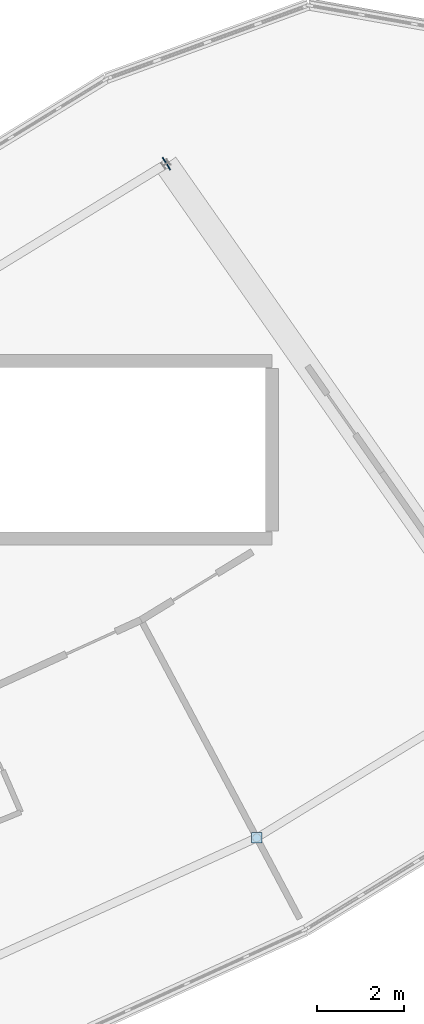
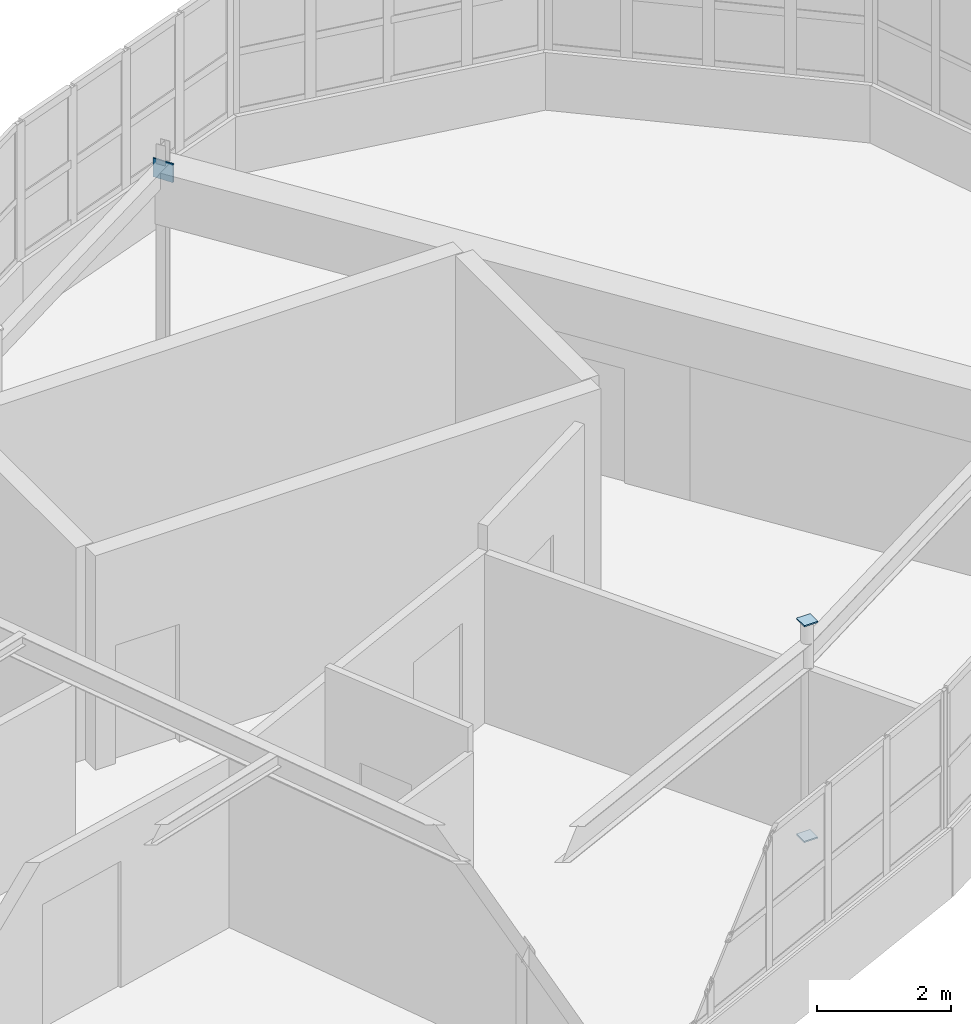
# One storey, part 58 of 79: 3 plates.
"""IFC4 building model written with IfcOpenShell, lengths in metres."""

import ifcopenshell
import ifcopenshell.guid

model = None  # the IFC model being written
_history = None  # IfcOwnerHistory: only IFC2X3 demands one
_inside = {}  # id of a spatial element -> (the spatial element, [elements in it])
_under = {}  # id of a project, library or spatial element -> (it, [spatial elements below it])
_declared = {}  # id of a project -> (the project, [libraries it declares])
_typed = {}  # id of a type object -> (the type object, [elements of that type])
_made_of = {}  # id of a material, layer set ... -> (it, [elements and type objects made of it])


def new_model(schema):
    """Start an empty IFC model of exactly this schema.

    Asked for "IFC4X3", IfcOpenShell would pick the latest addendum, in which some entities
    have other attributes; the version numbers below select the first issue.
    IFC2X3 requires an IfcOwnerHistory on every rooted entity: one is made here for all.
    """
    global model, _history
    if schema == "IFC4X3":
        model = ifcopenshell.file(schema_version=(4, 3, 0, 0))
    else:
        model = ifcopenshell.file(schema=schema)
    _inside.clear()
    _under.clear()
    _declared.clear()
    _typed.clear()
    _made_of.clear()
    _history = None
    if model.schema == "IFC2X3":
        org = make("IfcOrganization", Name="unknown")
        user = make(
            "IfcPersonAndOrganization",
            ThePerson=make("IfcPerson", FamilyName="unknown"),
            TheOrganization=org,
        )
        app = make(
            "IfcApplication",
            ApplicationDeveloper=org,
            Version="unknown",
            ApplicationFullName="unknown",
            ApplicationIdentifier="unknown",
        )
        _history = make(
            "IfcOwnerHistory",
            OwningUser=user,
            OwningApplication=app,
            ChangeAction="ADDED",
            CreationDate=0,
        )
    return model


def make(cls, **values):
    """One entity of the class cls with the attributes given. An attribute that is None is left unset."""
    return model.create_entity(
        cls, **{name: value for name, value in values.items() if value is not None}
    )


def rooted(cls, **values):
    """An entity with a GlobalId (a new one), such as an element, a storey or a relation."""
    return make(cls, GlobalId=ifcopenshell.guid.new(), OwnerHistory=_history, **values)


def si_unit(unit_type, name, prefix=None):
    """IfcSIUnit, for example si_unit("LENGTHUNIT", "METRE", prefix="MILLI")."""
    return make("IfcSIUnit", UnitType=unit_type, Prefix=prefix, Name=name)


def assignment(units):
    """IfcUnitAssignment: the units of a project."""
    return None if units is None else make("IfcUnitAssignment", Units=units)


def point(xyz):
    """IfcCartesianPoint."""
    return None if xyz is None else make("IfcCartesianPoint", Coordinates=xyz)


def direction(xyz):
    """IfcDirection."""
    return None if xyz is None else make("IfcDirection", DirectionRatios=xyz)


def frame(location, z_axis=None, x_axis=None):
    """IfcAxis2Placement3D, a coordinate frame: its origin and axes. An axis left out is left unset."""
    return make(
        "IfcAxis2Placement3D",
        Location=point(location),
        Axis=direction(z_axis),
        RefDirection=direction(x_axis),
    )


def frame_2d(location, x_axis=None):
    """IfcAxis2Placement2D, a coordinate frame in the plane: its origin and x axis."""
    return make(
        "IfcAxis2Placement2D", Location=point(location), RefDirection=direction(x_axis)
    )


def origin():
    """The frame at (0, 0, 0) with its axes left unset."""
    return frame((0.0, 0.0, 0.0))


def origin_2d():
    """The frame at (0, 0) in the plane with its x axis left unset."""
    return frame_2d((0.0, 0.0))


def place(relative_to, where):
    """IfcLocalPlacement: puts the frame where relative to a parent placement (None: the world)."""
    return make(
        "IfcLocalPlacement", PlacementRelTo=relative_to, RelativePlacement=where
    )


def context(
    kind, dimensions, precision=None, world=None, true_north=None, identifier=None
):
    """IfcGeometricRepresentationContext, for example the 3D "Model" context."""
    return make(
        "IfcGeometricRepresentationContext",
        ContextIdentifier=identifier,
        ContextType=kind,
        CoordinateSpaceDimension=dimensions,
        Precision=precision,
        WorldCoordinateSystem=world,
        TrueNorth=true_north,
    )


def subcontext(parent, identifier, kind, view, scale=None):
    """IfcGeometricRepresentationSubContext, for example "Body" below "Model"."""
    return make(
        "IfcGeometricRepresentationSubContext",
        ContextIdentifier=identifier,
        ContextType=kind,
        ParentContext=parent,
        TargetScale=scale,
        TargetView=view,
    )


def project(units=None, contexts=None):
    """IfcProject with its units and contexts."""
    return rooted(
        "IfcProject",
        Name="project",
        RepresentationContexts=contexts,
        UnitsInContext=assignment(units),
    )


def spatial(cls, under=None, at=None, **own):
    """A site, building, storey or space (cls), placed at a placement, below another one or the project."""
    s = rooted(cls, ObjectPlacement=at, **own)
    if under is not None:
        _under.setdefault(under.id(), (under, []))[1].append(s)
    return s


def profile(cls, at=None, kind="AREA", **sizes):
    """A parametric profile (cls). Its sizes go by their IFC names, for example OverallWidth=200.0."""
    return make(cls, ProfileType=kind, Position=at, **sizes)


def rectangle(**sizes):
    """IfcRectangleProfileDef."""
    return profile("IfcRectangleProfileDef", **sizes)


def extrude(swept, where, along, depth):
    """IfcExtrudedAreaSolid: the profile swept, set in the frame where, extruded along a direction by depth."""
    return make(
        "IfcExtrudedAreaSolid",
        SweptArea=swept,
        Position=where,
        ExtrudedDirection=direction(along),
        Depth=depth,
    )


def shape(context_of_items, identifier, shape_type, items):
    """IfcShapeRepresentation: the items that make up one representation, for example the "Body"."""
    return make(
        "IfcShapeRepresentation",
        ContextOfItems=context_of_items,
        RepresentationIdentifier=identifier,
        RepresentationType=shape_type,
        Items=items,
    )


def material(Name=None, Category=None):
    """IfcMaterial."""
    return make("IfcMaterial", Name=Name, Category=Category)


def layer(
    of_material, thickness, ventilated=None, Name=None, Category=None, Priority=None
):
    """IfcMaterialLayer: one layer of a wall or slab, of a material (None: an air gap)."""
    return make(
        "IfcMaterialLayer",
        Material=of_material,
        LayerThickness=thickness,
        IsVentilated=ventilated,
        Name=Name,
        Category=Category,
        Priority=Priority,
    )


def layer_set(layers, Name=None):
    """IfcMaterialLayerSet."""
    return make("IfcMaterialLayerSet", MaterialLayers=layers, LayerSetName=Name)


def made_of(thing, what):
    """Note that an element or type object is made of a material, layer set ...; save() writes the relation."""
    if what is not None:
        _made_of.setdefault(what.id(), (what, []))[1].append(thing)
    return thing


def type_object(cls, material=None, **own):
    """A type object (cls), such as IfcWallType, which elements share."""
    return made_of(rooted(cls, **own), material)


def element(
    cls,
    number,
    at=None,
    inside=None,
    cuts=None,
    type_object=None,
    material=None,
    context=None,
    identifier="Body",
    shape_type=None,
    held_by="IfcProductDefinitionShape",
    body=None,
    shapes=None,
    **own,
):
    """One element of the class cls, such as IfcWall. Its Tag is "e" and its number.

    at: its placement. inside: the storey or other place that contains it. cuts: it is an
    opening in that element (IfcRelVoidsElement). A single representation is given by context,
    identifier, shape_type and body (its items); several are given by shapes. held_by: the class
    of the entity that holds the representations. save() writes the other relations.
    """
    e = rooted(cls, Tag="e%d" % number, ObjectPlacement=at, **own)
    if body is not None:
        shapes = [shape(context, identifier, shape_type, body)]
    if shapes is not None:
        e.Representation = make(held_by, Representations=shapes)
    if inside is not None:
        _inside.setdefault(inside.id(), (inside, []))[1].append(e)
    if cuts is not None:
        rooted(
            "IfcRelVoidsElement", RelatingBuildingElement=cuts, RelatedOpeningElement=e
        )
    if type_object is not None:
        _typed.setdefault(type_object.id(), (type_object, []))[1].append(e)
    return made_of(e, material)


def aggregate(whole, parts):
    """IfcRelAggregates: a whole, such as a stair, and the parts it consists of."""
    return rooted("IfcRelAggregates", RelatingObject=whole, RelatedObjects=parts)


def save(model, path):
    """Write the relations noted so far, then the file.

    IfcRelAggregates (storeys below a building ...), IfcRelContainedInSpatialStructure (elements
    in a storey), IfcRelDefinesByType, IfcRelAssociatesMaterial and IfcRelDeclares: one each for
    every whole, place, type object, material and project.
    """
    for whole, parts in _under.values():
        aggregate(whole, parts)
    for where, things in _inside.values():
        rooted(
            "IfcRelContainedInSpatialStructure",
            RelatedElements=things,
            RelatingStructure=where,
        )
    for kind, things in _typed.values():
        rooted("IfcRelDefinesByType", RelatedObjects=things, RelatingType=kind)
    for what, things in _made_of.values():
        rooted("IfcRelAssociatesMaterial", RelatedObjects=things, RelatingMaterial=what)
    for by, libraries in _declared.values():
        rooted("IfcRelDeclares", RelatingContext=by, RelatedDefinitions=libraries)
    model.write(path)


model = new_model("IFC4")

# Units and contexts
model_context = context("Model", 3, precision=1e-05, world=origin(), true_north=direction((0.0, 1.0)))
body_context = subcontext(model_context, "Body", "Model", "MODEL_VIEW")
ifc_project = project(units=[si_unit("LENGTHUNIT", "METRE"), si_unit("AREAUNIT", "SQUARE_METRE"), si_unit("VOLUMEUNIT", "CUBIC_METRE"), si_unit("PLANEANGLEUNIT", "RADIAN"), si_unit("MASSUNIT", "GRAM", prefix="KILO")], contexts=[model_context])

# Site, building, storey
site_placement = place(None, origin())
site = spatial("IfcSite", under=ifc_project, at=site_placement, CompositionType="ELEMENT")
building_placement = place(site_placement, origin())
building = spatial("IfcBuilding", under=site, at=building_placement, Name="Tarnwether General Hospital", CompositionType="ELEMENT")
storey_placement = place(building_placement, frame((0.0, 0.0, 18.300048828125)))
storey = spatial("IfcBuildingStorey", under=building, at=storey_placement, Name="L04", CompositionType="ELEMENT", Elevation=18.300048828125)

# Plates
ifc_material = material(Name="Steel Grade 350 (350 MPa)", Category="steel")
ifc_layer = layer(ifc_material, 0.02490234375)
ifc_layer_set = layer_set([ifc_layer], Name="Steel Grade 350 (350 MPa)")
plate_type = type_object("IfcPlateType", Name="PT-GUS2", PredefinedType="USERDEFINED", material=ifc_layer_set)
for number, where, z_axis, x_axis, name in (
    (1, (119.79296875, 10.72998046875, -0.02490234375), (0.0, 0.0, 1.0), (1.0, 0.0, 0.0), "Hollow Section Welded End Cap Plate 0731"),
    (2, (119.79296875, 10.72998046875, 3.89990234375), (0.0, 0.0, 1.0), (1.0, 0.0, 0.0), "Hollow Section Welded End Cap Plate 0732"),
):
    element("IfcPlate", number, at=place(storey_placement, frame(where, z_axis=z_axis, x_axis=x_axis)), inside=storey, type_object=plate_type, Name=name, ObjectType="GUSSET", PredefinedType="USERDEFINED", context=body_context, shape_type="SweptSolid", body=[
        extrude(rectangle(XDim=0.23388671875, YDim=0.23388671875, at=origin_2d()), origin(), (0.0, 0.0, 1.0), 0.02490234375),
    ])
plate_placement = place(storey_placement, frame((117.706787109375, 26.30859375, 3.2197265625), z_axis=(0.0, 0.0, 1.0), x_axis=(0.852649283545, 0.522483683258, 0.0)))
element("IfcPlate", 3, at=plate_placement, inside=storey, type_object=plate_type, Name="Hollow Section Welded End Cap Plate 1142", ObjectType="GUSSET", PredefinedType="USERDEFINED", context=body_context, shape_type="SweptSolid", body=[
    extrude(rectangle(XDim=0.02490234375, YDim=0.340087890625, at=origin_2d()), origin(), (0.0, 0.0, 1.0), 0.340087890625),
])

save(model, "model.ifc")
